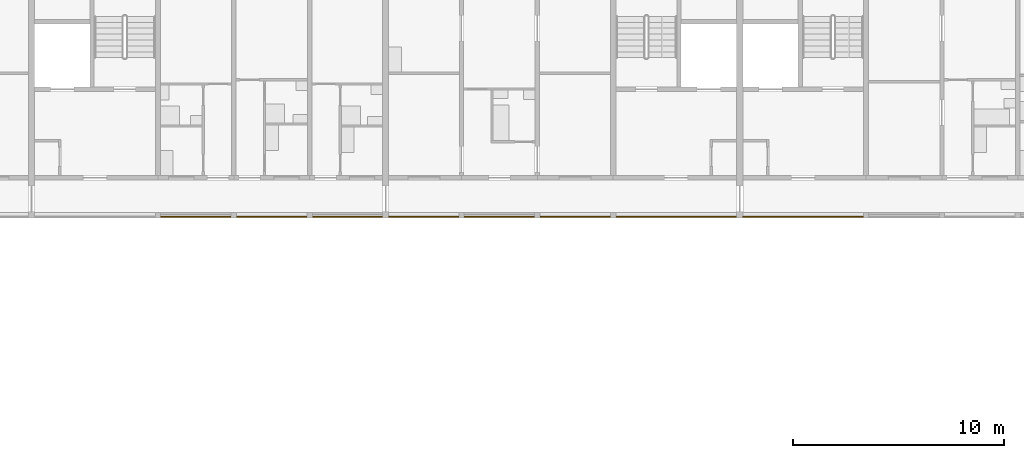
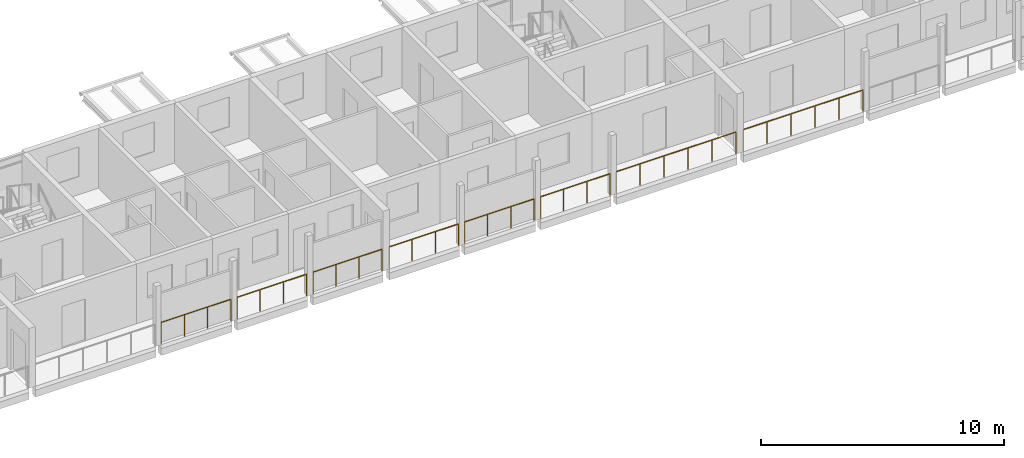
# One storey, part 94 of 99: 8 railings.
"""IFC4 building model written with IfcOpenShell, lengths in metres."""

from ifc_helpers import new_model, si_unit, direction, frame, origin, origin_2d, place, context, subcontext, project, spatial, circle, extrude, material, type_object, element, save


model = new_model("IFC4")

# Units and contexts
model_context = context("Model", 3, precision=1e-05, world=origin(), true_north=direction((0.0, 1.0)))
body_context = subcontext(model_context, "Body", "Model", "MODEL_VIEW")
ifc_project = project(units=[si_unit("LENGTHUNIT", "METRE"), si_unit("AREAUNIT", "SQUARE_METRE"), si_unit("VOLUMEUNIT", "CUBIC_METRE"), si_unit("PLANEANGLEUNIT", "RADIAN"), si_unit("MASSUNIT", "GRAM", prefix="KILO")], contexts=[model_context])

# Site, building, storey
site_placement = place(None, origin())
site = spatial("IfcSite", under=ifc_project, at=site_placement, CompositionType="ELEMENT")
building_placement = place(site_placement, origin())
building = spatial("IfcBuilding", under=site, at=building_placement, Name="Ridgestep Commons", CompositionType="ELEMENT")
storey_placement = place(building_placement, frame((0.0, 0.0, 15.0)))
storey = spatial("IfcBuildingStorey", under=building, at=storey_placement, Name="L05", CompositionType="ELEMENT", Elevation=15.0)

# Railings
ifc_material = material(Name="Structural steel S355JR", Category="steel")
railing_type = type_object("IfcRailingType", Name="Guard 1100", PredefinedType="GUARDRAIL", material=ifc_material)
railing_1_placement = place(storey_placement, frame((203.345947265625, 66.050048828125, 0.0)))
element("IfcRailing", 1, at=railing_1_placement, inside=storey, type_object=railing_type, Name="Gallery guard C 05.14", PredefinedType="GUARDRAIL", context=body_context, shape_type="SweptSolid", body=[
    extrude(circle(Radius=0.02392578125, at=origin_2d()), frame((0.0, 0.0, 1.076171875), z_axis=(1.0, 0.0, 0.0), x_axis=(0.0, 1.0, 0.0)), (0.0, 0.0, 1.0), 3.30810546875),
    extrude(circle(Radius=0.02099609375, at=origin_2d()), origin(), (0.0, 0.0, 1.0), 1.052001953125),
    extrude(circle(Radius=0.02099609375, at=origin_2d()), frame((1.102783203125, 0.0, 0.0)), (0.0, 0.0, 1.0), 1.052001953125),
    extrude(circle(Radius=0.02099609375, at=origin_2d()), frame((2.205322265625, 0.0, 0.0)), (0.0, 0.0, 1.0), 1.052001953125),
    extrude(circle(Radius=0.02099609375, at=origin_2d()), frame((3.30810546875, 0.0, 0.0)), (0.0, 0.0, 1.0), 1.052001953125),
])
railing_2_placement = place(storey_placement, frame((206.946044921875, 66.050048828125, 0.0)))
element("IfcRailing", 2, at=railing_2_placement, inside=storey, type_object=railing_type, Name="Gallery guard C 05.15", PredefinedType="GUARDRAIL", context=body_context, shape_type="SweptSolid", body=[
    extrude(circle(Radius=0.02392578125, at=origin_2d()), frame((0.0, 0.0, 1.076171875), z_axis=(1.0, 0.0, 0.0), x_axis=(0.0, 1.0, 0.0)), (0.0, 0.0, 1.0), 3.307861328125),
    extrude(circle(Radius=0.02099609375, at=origin_2d()), origin(), (0.0, 0.0, 1.0), 1.052001953125),
    extrude(circle(Radius=0.02099609375, at=origin_2d()), frame((1.1025390625, 0.0, 0.0)), (0.0, 0.0, 1.0), 1.052001953125),
    extrude(circle(Radius=0.02099609375, at=origin_2d()), frame((2.205322265625, 0.0, 0.0)), (0.0, 0.0, 1.0), 1.052001953125),
    extrude(circle(Radius=0.02099609375, at=origin_2d()), frame((3.307861328125, 0.0, 0.0)), (0.0, 0.0, 1.0), 1.052001953125),
])
for number, where, name in (
    (3, (210.5458984375, 66.050048828125, 0.0), "Gallery guard C 05.16"),
    (4, (214.1708984375, 66.050048828125, 0.0), "Gallery guard C 05.17"),
):
    element("IfcRailing", number, at=place(storey_placement, frame(where)), inside=storey, type_object=railing_type, Name=name, PredefinedType="GUARDRAIL", context=body_context, shape_type="SweptSolid", body=[
        extrude(circle(Radius=0.02392578125, at=origin_2d()), frame((0.0, 0.0, 1.076171875), z_axis=(1.0, 0.0, 0.0), x_axis=(0.0, 1.0, 0.0)), (0.0, 0.0, 1.0), 3.283203125),
        extrude(circle(Radius=0.02099609375, at=origin_2d()), origin(), (0.0, 0.0, 1.0), 1.052001953125),
        extrude(circle(Radius=0.02099609375, at=origin_2d()), frame((1.094482421875, 0.0, 0.0)), (0.0, 0.0, 1.0), 1.052001953125),
        extrude(circle(Radius=0.02099609375, at=origin_2d()), frame((2.188720703125, 0.0, 0.0)), (0.0, 0.0, 1.0), 1.052001953125),
        extrude(circle(Radius=0.02099609375, at=origin_2d()), frame((3.283203125, 0.0, 0.0)), (0.0, 0.0, 1.0), 1.052001953125),
    ])
railing_3_placement = place(storey_placement, frame((217.74609375, 66.050048828125, 0.0)))
element("IfcRailing", 5, at=railing_3_placement, inside=storey, type_object=railing_type, Name="Gallery guard C 05.18", PredefinedType="GUARDRAIL", context=body_context, shape_type="SweptSolid", body=[
    extrude(circle(Radius=0.02392578125, at=origin_2d()), frame((0.0, 0.0, 1.076171875), z_axis=(1.0, 0.0, 0.0), x_axis=(0.0, 1.0, 0.0)), (0.0, 0.0, 1.0), 3.307861328125),
    extrude(circle(Radius=0.02099609375, at=origin_2d()), origin(), (0.0, 0.0, 1.0), 1.052001953125),
    extrude(circle(Radius=0.02099609375, at=origin_2d()), frame((1.1025390625, 0.0, 0.0)), (0.0, 0.0, 1.0), 1.052001953125),
    extrude(circle(Radius=0.02099609375, at=origin_2d()), frame((2.205322265625, 0.0, 0.0)), (0.0, 0.0, 1.0), 1.052001953125),
    extrude(circle(Radius=0.02099609375, at=origin_2d()), frame((3.307861328125, 0.0, 0.0)), (0.0, 0.0, 1.0), 1.052001953125),
])
railing_4_placement = place(storey_placement, frame((221.345947265625, 66.050048828125, 0.0)))
element("IfcRailing", 6, at=railing_4_placement, inside=storey, type_object=railing_type, Name="Gallery guard C 05.19", PredefinedType="GUARDRAIL", context=body_context, shape_type="SweptSolid", body=[
    extrude(circle(Radius=0.02392578125, at=origin_2d()), frame((0.0, 0.0, 1.076171875), z_axis=(1.0, 0.0, 0.0), x_axis=(0.0, 1.0, 0.0)), (0.0, 0.0, 1.0), 3.30810546875),
    extrude(circle(Radius=0.02099609375, at=origin_2d()), origin(), (0.0, 0.0, 1.0), 1.052001953125),
    extrude(circle(Radius=0.02099609375, at=origin_2d()), frame((1.102783203125, 0.0, 0.0)), (0.0, 0.0, 1.0), 1.052001953125),
    extrude(circle(Radius=0.02099609375, at=origin_2d()), frame((2.205322265625, 0.0, 0.0)), (0.0, 0.0, 1.0), 1.052001953125),
    extrude(circle(Radius=0.02099609375, at=origin_2d()), frame((3.30810546875, 0.0, 0.0)), (0.0, 0.0, 1.0), 1.052001953125),
])
railing_5_placement = place(storey_placement, frame((224.946044921875, 66.050048828125, 0.0)))
element("IfcRailing", 7, at=railing_5_placement, inside=storey, type_object=railing_type, Name="Gallery guard C 05.20", PredefinedType="GUARDRAIL", context=body_context, shape_type="SweptSolid", body=[
    extrude(circle(Radius=0.02392578125, at=origin_2d()), frame((0.0, 0.0, 1.076171875), z_axis=(1.0, 0.0, 0.0), x_axis=(0.0, 1.0, 0.0)), (0.0, 0.0, 1.0), 5.682861328125),
    extrude(circle(Radius=0.02099609375, at=origin_2d()), origin(), (0.0, 0.0, 1.0), 1.052001953125),
    extrude(circle(Radius=0.02099609375, at=origin_2d()), frame((1.136474609375, 0.0, 0.0)), (0.0, 0.0, 1.0), 1.052001953125),
    extrude(circle(Radius=0.02099609375, at=origin_2d()), frame((2.273193359375, 0.0, 0.0)), (0.0, 0.0, 1.0), 1.052001953125),
    extrude(circle(Radius=0.02099609375, at=origin_2d()), frame((3.40966796875, 0.0, 0.0)), (0.0, 0.0, 1.0), 1.052001953125),
    extrude(circle(Radius=0.02099609375, at=origin_2d()), frame((4.54638671875, 0.0, 0.0)), (0.0, 0.0, 1.0), 1.052001953125),
    extrude(circle(Radius=0.02099609375, at=origin_2d()), frame((5.682861328125, 0.0, 0.0)), (0.0, 0.0, 1.0), 1.052001953125),
])
railing_6_placement = place(storey_placement, frame((230.970947265625, 66.050048828125, 0.0)))
element("IfcRailing", 8, at=railing_6_placement, inside=storey, type_object=railing_type, Name="Gallery guard C 05.21", PredefinedType="GUARDRAIL", context=body_context, shape_type="SweptSolid", body=[
    extrude(circle(Radius=0.02392578125, at=origin_2d()), frame((0.0, 0.0, 1.076171875), z_axis=(1.0, 0.0, 0.0), x_axis=(0.0, 1.0, 0.0)), (0.0, 0.0, 1.0), 5.68310546875),
    extrude(circle(Radius=0.02099609375, at=origin_2d()), origin(), (0.0, 0.0, 1.0), 1.052001953125),
    extrude(circle(Radius=0.02099609375, at=origin_2d()), frame((1.13671875, 0.0, 0.0)), (0.0, 0.0, 1.0), 1.052001953125),
    extrude(circle(Radius=0.02099609375, at=origin_2d()), frame((2.273193359375, 0.0, 0.0)), (0.0, 0.0, 1.0), 1.052001953125),
    extrude(circle(Radius=0.02099609375, at=origin_2d()), frame((3.409912109375, 0.0, 0.0)), (0.0, 0.0, 1.0), 1.052001953125),
    extrude(circle(Radius=0.02099609375, at=origin_2d()), frame((4.54638671875, 0.0, 0.0)), (0.0, 0.0, 1.0), 1.052001953125),
    extrude(circle(Radius=0.02099609375, at=origin_2d()), frame((5.68310546875, 0.0, 0.0)), (0.0, 0.0, 1.0), 1.052001953125),
])

save(model, "model.ifc")
